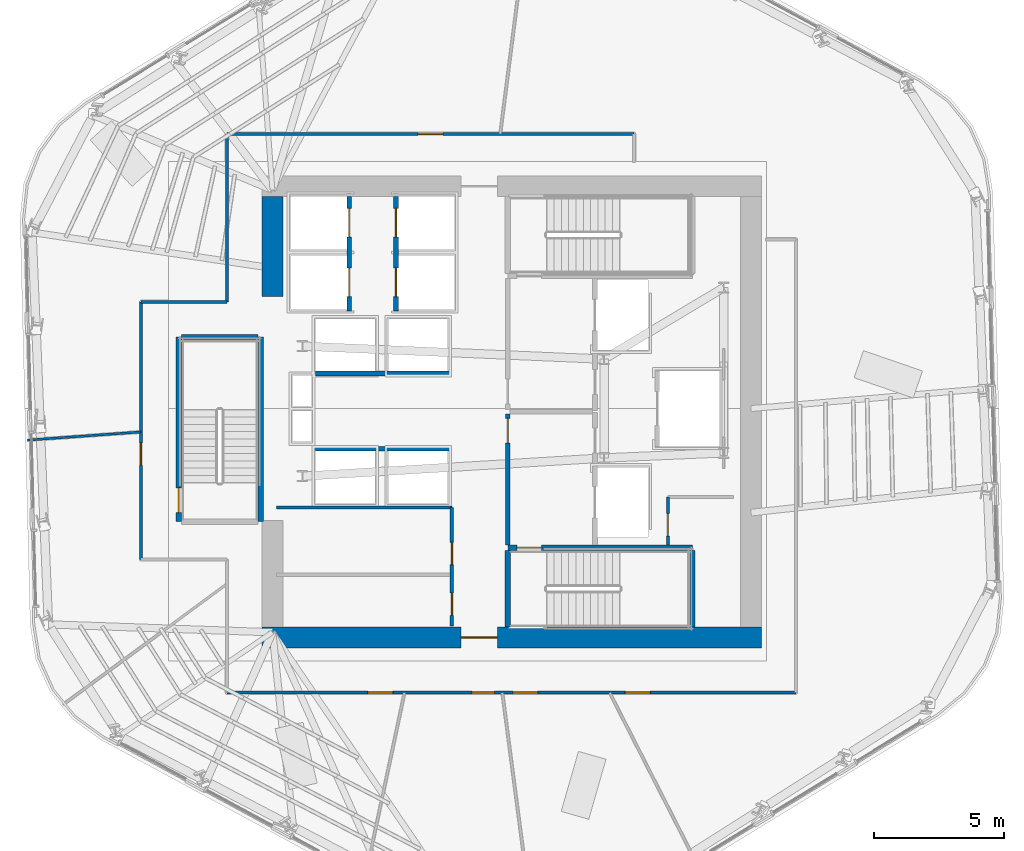
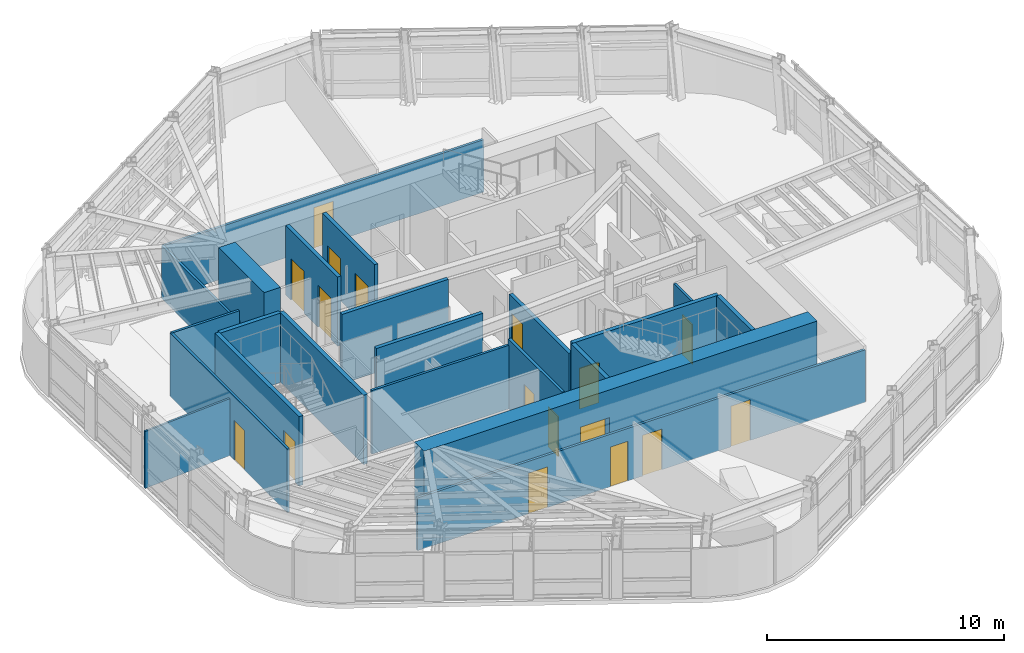
# One storey, part 8 of 15: 22 walls, 17 doors, 17 openings.
"""IFC4 building model written with IfcOpenShell, lengths in metres."""

from ifc_helpers import new_model, si_unit, direction, frame, frame_2d, origin, place, context, subcontext, project, spatial, rectangle, extrude, material, layer, layer_set, type_object, element, fill, save


model = new_model("IFC4")

# Units and contexts
model_context = context("Model", 3, precision=1e-05, world=origin(), true_north=direction((0.0, 1.0)))
body_context = subcontext(model_context, "Body", "Model", "MODEL_VIEW")
ifc_project = project(units=[si_unit("LENGTHUNIT", "METRE"), si_unit("AREAUNIT", "SQUARE_METRE"), si_unit("VOLUMEUNIT", "CUBIC_METRE"), si_unit("PLANEANGLEUNIT", "RADIAN"), si_unit("MASSUNIT", "GRAM", prefix="KILO")], contexts=[model_context])

# Site, building, storey
site_placement = place(None, origin())
site = spatial("IfcSite", under=ifc_project, at=site_placement, CompositionType="ELEMENT")
building_placement = place(site_placement, origin())
building = spatial("IfcBuilding", under=site, at=building_placement, Name="Valkerne Bourse Tower", CompositionType="ELEMENT")
storey_placement = place(building_placement, frame((0.0, 0.0, 159.0)))
storey = spatial("IfcBuildingStorey", under=building, at=storey_placement, Name="L40", CompositionType="ELEMENT", Elevation=159.0)

# Wall, opening, door
ifc_material_1 = material(Name="Concrete C55/67", Category="concrete")
ifc_layer_1 = layer(ifc_material_1, 0.800048828125)
ifc_layer_set_1 = layer_set([ifc_layer_1], Name="Concrete C55/67")
wall_type_1 = type_object("IfcWallType", Name="W-CORE-800", PredefinedType="SHEAR", material=ifc_layer_set_1)
wall_1_placement = place(storey_placement, frame((37.199951171875, 18.199951171875, 0.0), z_axis=(0.0, 0.0, 1.0), x_axis=(1.0, 0.0, 0.0)))
wall_1 = element("IfcWall", 1, at=wall_1_placement, inside=storey, type_object=wall_type_1, Name="L40 Core Shear Wall SOUTH", PredefinedType="SHEAR", context=body_context, shape_type="SweptSolid", body=[
    extrude(rectangle(XDim=19.199951171875, YDim=0.800048828125, at=frame_2d((9.60009765625, 0.0))), origin(), (0.0, 0.0, 1.0), 3.580078125),
])
opening_1_placement = place(wall_1_placement, frame((7.64990234375, 0.0, 0.0)))
opening_1 = element("IfcOpeningElement", 2, at=opening_1_placement, cuts=wall_1, Name="Opening D-PL-1400", PredefinedType="OPENING", context=body_context, shape_type="SweptSolid", body=[
    extrude(rectangle(XDim=1.39990234375, YDim=2.14990234375, at=frame_2d((0.699951171875, 1.074951171875))), frame((0.0, 0.409912109375, 0.0), z_axis=(0.0, -1.0, 0.0), x_axis=(1.0, 0.0, 0.0)), (0.0, 0.0, 1.0), 0.820068359375),
])
ifc_material_2 = material(Name="Galvanised Painted Steel", Category="steel")
door_type_1 = type_object("IfcDoorType", Name="DR-PLT-1400", OperationType="DOUBLE_DOOR_SINGLE_SWING", PredefinedType="DOOR", material=ifc_material_2)
door_1_placement = place(opening_1_placement, origin())
door_1 = element("IfcDoor", 3, at=door_1_placement, inside=storey, type_object=door_type_1, Name="L40 South Passenger Lift Hall Fire Door", OperationType="DOUBLE_DOOR_SINGLE_SWING", OverallHeight=2.14990234375, OverallWidth=1.39990234375, PredefinedType="DOOR", context=body_context, shape_type="SweptSolid", body=[
    extrude(rectangle(XDim=1.39990234375, YDim=2.14990234375, at=frame_2d((0.699951171875, 1.074951171875))), frame((0.0, 0.02490234375, 0.0), z_axis=(0.0, -1.0, 0.0), x_axis=(1.0, 0.0, 0.0)), (0.0, 0.0, 1.0), 0.050048828125),
])
fill(opening_1, door_1)

# Walls
wall_2_placement = place(storey_placement, frame((37.60009765625, 31.300048828125, 0.0), z_axis=(0.0, 0.0, 1.0), x_axis=(0.0, 1.0, 0.0)))
element("IfcWall", 4, at=wall_2_placement, inside=storey, type_object=wall_type_1, Name="L40 Core Shear Wall WEST-N", PredefinedType="SHEAR", context=body_context, shape_type="SweptSolid", body=[
    extrude(rectangle(XDim=3.849853515625, YDim=0.800048828125, at=frame_2d((1.9248046875, 0.0))), origin(), (0.0, 0.0, 1.0), 3.580078125),
])
ifc_material_3 = material(Name="Gypsum Board Steel-Stud Partition", Category="steel")
ifc_layer_2 = layer(ifc_material_3, 0.117919921875)
ifc_layer_set_2 = layer_set([ifc_layer_2], Name="Gypsum Board Steel-Stud Partition")
wall_type_2 = type_object("IfcWallType", Name="W-CORR-140", PredefinedType="PARTITIONING", material=ifc_layer_set_2)
wall_3_placement = place(storey_placement, frame((37.75, 23.199951171875, 0.0), z_axis=(0.0, 0.0, 1.0), x_axis=(1.0, 0.0, 0.0)))
element("IfcWall", 5, at=wall_3_placement, inside=storey, type_object=wall_type_2, Name="L40 LV7 Low-Bank North Wall", PredefinedType="PARTITIONING", context=body_context, shape_type="SweptSolid", body=[
    extrude(rectangle(XDim=6.75, YDim=0.117919921875, at=frame_2d((3.375, 0.0))), origin(), (0.0, 0.0, 1.0), 3.280029296875),
])

# Wall, opening, door
wall_4_placement = place(storey_placement, frame((52.800048828125, 21.75, 0.0), z_axis=(0.0, 0.0, 1.0), x_axis=(0.0, 1.0, 0.0)))
wall_4 = element("IfcWall", 6, at=wall_4_placement, inside=storey, type_object=wall_type_2, Name="L40 Core SE South-Bay West Wall", PredefinedType="PARTITIONING", context=body_context, shape_type="SweptSolid", body=[
    extrude(rectangle(XDim=1.85009765625, YDim=0.117919921875, at=frame_2d((0.925048828125, 0.0))), origin(), (0.0, 0.0, 1.0), 3.280029296875),
])
opening_2_placement = place(wall_4_placement, frame((0.35009765625, 0.0, 0.0)))
opening_2 = element("IfcOpeningElement", 7, at=opening_2_placement, cuts=wall_4, Name="Opening D-WC-900", PredefinedType="OPENING", context=body_context, shape_type="SweptSolid", body=[
    extrude(rectangle(XDim=0.860107421875, YDim=2.050048828125, at=frame_2d((0.43017578125, 1.02490234375))), frame((0.0, 0.06884765625, 0.0), z_axis=(0.0, -1.0, 0.0), x_axis=(1.0, 0.0, 0.0)), (0.0, 0.0, 1.0), 0.137939453125),
])
ifc_material_4 = material(Name="Architectural White Oak Timber", Category="wood")
door_type_2 = type_object("IfcDoorType", Name="DR-WC-900", OperationType="NOTDEFINED", PredefinedType="DOOR", material=ifc_material_4)
door_2_placement = place(opening_2_placement, origin())
door_2 = element("IfcDoor", 8, at=door_2_placement, inside=storey, type_object=door_type_2, Name="L40 Janitor Store Door", OperationType="SINGLE_SWING_RIGHT", OverallHeight=2.050048828125, OverallWidth=0.860107421875, PredefinedType="DOOR", context=body_context, shape_type="SweptSolid", body=[
    extrude(rectangle(XDim=0.860107421875, YDim=2.050048828125, at=frame_2d((0.43017578125, 1.02490234375))), frame((0.0, 0.02490234375, 0.0), z_axis=(0.0, -1.0, 0.0), x_axis=(1.0, 0.0, 0.0)), (0.0, 0.0, 1.0), 0.050048828125),
])
fill(opening_2, door_2)

wall_5_placement = place(storey_placement, frame((32.550048828125, 21.199951171875, 0.0), z_axis=(0.0, 0.0, 1.0), x_axis=(0.0, 1.0, 0.0)))
wall_5 = element("IfcWall", 9, at=wall_5_placement, inside=storey, type_object=wall_type_2, Name="L40 Corridor Enclosure Wall", PredefinedType="PARTITIONING", context=body_context, shape_type="SweptSolid", body=[
    extrude(rectangle(XDim=9.900146484375, YDim=0.117919921875, at=frame_2d((4.9501953125, 0.0))), origin(), (0.0, 0.0, 1.0), 3.280029296875),
])
opening_3_placement = place(wall_5_placement, frame((3.6201171875, 0.0, 0.0)))
opening_3 = element("IfcOpeningElement", 10, at=opening_3_placement, cuts=wall_5, Name="Opening D-WC-900", PredefinedType="OPENING", context=body_context, shape_type="SweptSolid", body=[
    extrude(rectangle(XDim=0.860107421875, YDim=2.050048828125, at=frame_2d((0.43017578125, 1.02490234375))), frame((0.0, 0.06884765625, 0.0), z_axis=(0.0, -1.0, 0.0), x_axis=(1.0, 0.0, 0.0)), (0.0, 0.0, 1.0), 0.137939453125),
])
door_3_placement = place(opening_3_placement, origin())
door_3 = element("IfcDoor", 11, at=door_3_placement, inside=storey, type_object=door_type_2, Name="L40 L40 Men Bathroom WC 1 Door", OperationType="SINGLE_SWING_RIGHT", OverallHeight=2.050048828125, OverallWidth=0.860107421875, PredefinedType="DOOR", context=body_context, shape_type="SweptSolid", body=[
    extrude(rectangle(XDim=0.860107421875, YDim=2.050048828125, at=frame_2d((0.43017578125, 1.02490234375))), frame((0.0, 0.02490234375, 0.0), z_axis=(0.0, -1.0, 0.0), x_axis=(1.0, 0.0, 0.0)), (0.0, 0.0, 1.0), 0.050048828125),
])
fill(opening_3, door_3)

# Walls
wall_6_placement = place(storey_placement, frame((32.550048828125, 31.10009765625, 0.0), z_axis=(0.0, 0.0, 1.0), x_axis=(1.0, 0.0, 0.0)))
element("IfcWall", 12, at=wall_6_placement, inside=storey, type_object=wall_type_2, Name="L40 Corridor Enclosure Wall", PredefinedType="PARTITIONING", context=body_context, shape_type="SweptSolid", body=[
    extrude(rectangle(XDim=3.300048828125, YDim=0.117919921875, at=frame_2d((1.64990234375, 0.0))), origin(), (0.0, 0.0, 1.0), 3.280029296875),
])
wall_7_placement = place(storey_placement, frame((35.85009765625, 31.10009765625, 0.0), z_axis=(0.0, 0.0, 1.0), x_axis=(0.0, 1.0, 0.0)))
element("IfcWall", 13, at=wall_7_placement, inside=storey, type_object=wall_type_2, Name="L40 Corridor Enclosure Wall", PredefinedType="PARTITIONING", context=body_context, shape_type="SweptSolid", body=[
    extrude(rectangle(XDim=6.4599609375, YDim=0.117919921875, at=frame_2d((3.22998046875, 0.0))), origin(), (0.0, 0.0, 1.0), 2.711669921875),
])

# Wall, opening, door
wall_8_placement = place(storey_placement, frame((35.85009765625, 37.56005859375, 0.0), z_axis=(0.0, 0.0, 1.0), x_axis=(1.0, 0.0, 0.0)))
wall_8 = element("IfcWall", 14, at=wall_8_placement, inside=storey, type_object=wall_type_2, Name="L40 Corridor Enclosure Wall", PredefinedType="PARTITIONING", context=body_context, shape_type="SweptSolid", body=[
    extrude(rectangle(XDim=15.64990234375, YDim=0.117919921875, at=frame_2d((7.824951171875, 0.0))), origin(), (0.0, 0.0, 1.0), 2.711669921875),
])
opening_4_placement = place(wall_8_placement, frame((7.35009765625, 0.0, 0.0)))
opening_4 = element("IfcOpeningElement", 15, at=opening_4_placement, cuts=wall_8, Name="Opening D-OF-950", PredefinedType="OPENING", context=body_context, shape_type="SweptSolid", body=[
    extrude(rectangle(XDim=0.949951171875, YDim=2.10009765625, at=frame_2d((0.47509765625, 1.050048828125))), frame((0.0, 0.06884765625, 0.0), z_axis=(0.0, -1.0, 0.0), x_axis=(1.0, 0.0, 0.0)), (0.0, 0.0, 1.0), 0.137939453125),
])
door_type_3 = type_object("IfcDoorType", Name="DR-OFF-950", OperationType="NOTDEFINED", PredefinedType="DOOR", material=ifc_material_4)
door_4_placement = place(opening_4_placement, origin())
door_4 = element("IfcDoor", 16, at=door_4_placement, inside=storey, type_object=door_type_3, Name="L40 L40 Exchange Security Control Room 5 Door", OperationType="SINGLE_SWING_LEFT", OverallHeight=2.10009765625, OverallWidth=0.949951171875, PredefinedType="DOOR", context=body_context, shape_type="SweptSolid", body=[
    extrude(rectangle(XDim=0.949951171875, YDim=2.10009765625, at=frame_2d((0.47509765625, 1.050048828125))), frame((0.0, 0.02490234375, 0.0), z_axis=(0.0, -1.0, 0.0), x_axis=(1.0, 0.0, 0.0)), (0.0, 0.0, 1.0), 0.050048828125),
])
fill(opening_4, door_4)

# Wall, openings, doors
wall_9_placement = place(storey_placement, frame((57.719970703125, 16.080078125, 0.0), z_axis=(0.0, 0.0, 1.0), x_axis=(-1.0, 0.0, 0.0)))
wall_9 = element("IfcWall", 17, at=wall_9_placement, inside=storey, type_object=wall_type_2, Name="L40 Corridor Enclosure Wall", PredefinedType="PARTITIONING", context=body_context, shape_type="SweptSolid", body=[
    extrude(rectangle(XDim=21.869873046875, YDim=0.117919921875, at=frame_2d((10.93505859375, 0.0))), origin(), (0.0, 0.0, 1.0), 2.711669921875),
])
opening_5_placement = place(wall_9_placement, frame((11.5849609375, 0.0, 0.0)))
opening_5 = element("IfcOpeningElement", 18, at=opening_5_placement, cuts=wall_9, Name="Opening D-WC-900", PredefinedType="OPENING", context=body_context, shape_type="SweptSolid", body=[
    extrude(rectangle(XDim=0.860107421875, YDim=2.050048828125, at=frame_2d((0.43017578125, 1.02490234375))), frame((0.0, 0.06884765625, 0.0), z_axis=(0.0, -1.0, 0.0), x_axis=(1.0, 0.0, 0.0)), (0.0, 0.0, 1.0), 0.137939453125),
])
opening_6_placement = place(wall_9_placement, frame((9.919921875, 0.0, 0.0)))
opening_6 = element("IfcOpeningElement", 19, at=opening_6_placement, cuts=wall_9, Name="Opening D-OF-950", PredefinedType="OPENING", context=body_context, shape_type="SweptSolid", body=[
    extrude(rectangle(XDim=0.949951171875, YDim=2.10009765625, at=frame_2d((0.47509765625, 1.050048828125))), frame((0.0, 0.06884765625, 0.0), z_axis=(0.0, -1.0, 0.0), x_axis=(1.0, 0.0, 0.0)), (0.0, 0.0, 1.0), 0.137939453125),
])
opening_7_placement = place(wall_9_placement, frame((15.5, 0.0, 0.0)))
opening_7 = element("IfcOpeningElement", 20, at=opening_7_placement, cuts=wall_9, Name="Opening D-OF-950", PredefinedType="OPENING", context=body_context, shape_type="SweptSolid", body=[
    extrude(rectangle(XDim=0.949951171875, YDim=2.10009765625, at=frame_2d((0.47509765625, 1.050048828125))), frame((0.0, 0.06884765625, 0.0), z_axis=(0.0, -1.0, 0.0), x_axis=(1.0, 0.0, 0.0)), (0.0, 0.0, 1.0), 0.137939453125),
])
opening_8_placement = place(wall_9_placement, frame((5.60009765625, 0.0, 0.0)))
opening_8 = element("IfcOpeningElement", 21, at=opening_8_placement, cuts=wall_9, Name="Opening D-OF-950", PredefinedType="OPENING", context=body_context, shape_type="SweptSolid", body=[
    extrude(rectangle(XDim=0.949951171875, YDim=2.10009765625, at=frame_2d((0.47509765625, 1.050048828125))), frame((0.0, 0.06884765625, 0.0), z_axis=(0.0, -1.0, 0.0), x_axis=(1.0, 0.0, 0.0)), (0.0, 0.0, 1.0), 0.137939453125),
])
door_5_placement = place(opening_6_placement, origin())
door_5 = element("IfcDoor", 22, at=door_5_placement, inside=storey, type_object=door_type_3, Name="L40 L40 VIP Client Concierge Reception 3 Door", OperationType="SINGLE_SWING_RIGHT", OverallHeight=2.10009765625, OverallWidth=0.949951171875, PredefinedType="DOOR", context=body_context, shape_type="SweptSolid", body=[
    extrude(rectangle(XDim=0.949951171875, YDim=2.10009765625, at=frame_2d((0.47509765625, 1.050048828125))), frame((0.0, 0.02490234375, 0.0), z_axis=(0.0, -1.0, 0.0), x_axis=(1.0, 0.0, 0.0)), (0.0, 0.0, 1.0), 0.050048828125),
])
fill(opening_6, door_5)
door_6_placement = place(opening_7_placement, origin())
door_6 = element("IfcDoor", 23, at=door_6_placement, inside=storey, type_object=door_type_3, Name="L40 L40 VIP Client Concierge Reception 4 Door", OperationType="SINGLE_SWING_LEFT", OverallHeight=2.10009765625, OverallWidth=0.949951171875, PredefinedType="DOOR", context=body_context, shape_type="SweptSolid", body=[
    extrude(rectangle(XDim=0.949951171875, YDim=2.10009765625, at=frame_2d((0.47509765625, 1.050048828125))), frame((0.0, 0.02490234375, 0.0), z_axis=(0.0, -1.0, 0.0), x_axis=(1.0, 0.0, 0.0)), (0.0, 0.0, 1.0), 0.050048828125),
])
fill(opening_7, door_6)
door_7_placement = place(opening_8_placement, origin())
door_7 = element("IfcDoor", 24, at=door_7_placement, inside=storey, type_object=door_type_3, Name="L40 L40 Member Collaboration Club Salon 6 Door", OperationType="SINGLE_SWING_LEFT", OverallHeight=2.10009765625, OverallWidth=0.949951171875, PredefinedType="DOOR", context=body_context, shape_type="SweptSolid", body=[
    extrude(rectangle(XDim=0.949951171875, YDim=2.10009765625, at=frame_2d((0.47509765625, 1.050048828125))), frame((0.0, 0.02490234375, 0.0), z_axis=(0.0, -1.0, 0.0), x_axis=(1.0, 0.0, 0.0)), (0.0, 0.0, 1.0), 0.050048828125),
])
fill(opening_8, door_7)
door_8_placement = place(opening_5_placement, origin())
door_8 = element("IfcDoor", 25, at=door_8_placement, inside=storey, type_object=door_type_2, Name="L40 L40 Women Restroom & Shower WC 2 Door", OperationType="SINGLE_SWING_RIGHT", OverallHeight=2.050048828125, OverallWidth=0.860107421875, PredefinedType="DOOR", context=body_context, shape_type="SweptSolid", body=[
    extrude(rectangle(XDim=0.860107421875, YDim=2.050048828125, at=frame_2d((0.43017578125, 1.02490234375))), frame((0.0, 0.02490234375, 0.0), z_axis=(0.0, -1.0, 0.0), x_axis=(1.0, 0.0, 0.0)), (0.0, 0.0, 1.0), 0.050048828125),
])
fill(opening_5, door_8)

# Wall, opening, door
ifc_material_5 = material(Name="Gypsum Fire-Rated Shaftwall", Category="gypsum")
ifc_layer_3 = layer(ifc_material_5, 0.179931640625)
ifc_layer_set_3 = layer_set([ifc_layer_3], Name="Gypsum Fire-Rated Shaftwall")
wall_type_3 = type_object("IfcWallType", Name="W-FSAE-180", PredefinedType="PARTITIONING", material=ifc_layer_set_3)
wall_10_placement = place(storey_placement, frame((46.64990234375, 21.75, 0.0), z_axis=(0.0, 0.0, 1.0), x_axis=(0.0, 1.0, 0.0)))
wall_10 = element("IfcWall", 26, at=wall_10_placement, inside=storey, type_object=wall_type_3, Name="L40 FSAE-1 Lobby West Fire Wall", PredefinedType="PARTITIONING", context=body_context, shape_type="SweptSolid", body=[
    extrude(rectangle(XDim=5.050048828125, YDim=0.179931640625, at=frame_2d((2.52490234375, 0.0))), origin(), (0.0, 0.0, 1.0), 2.9580078125),
])
opening_9_placement = place(wall_10_placement, frame((3.919921875, 0.0, 0.0)))
opening_9 = element("IfcOpeningElement", 27, at=opening_9_placement, cuts=wall_10, Name="Opening D-FS-950", PredefinedType="OPENING", context=body_context, shape_type="SweptSolid", body=[
    extrude(rectangle(XDim=0.949951171875, YDim=2.10009765625, at=frame_2d((0.47509765625, 1.050048828125))), frame((0.0, 0.099853515625, 0.0), z_axis=(0.0, -1.0, 0.0), x_axis=(1.0, 0.0, 0.0)), (0.0, 0.0, 1.0), 0.199951171875),
])
door_type_4 = type_object("IfcDoorType", Name="DR-FSAE-950", OperationType="NOTDEFINED", PredefinedType="DOOR", material=ifc_material_2)
door_9_placement = place(opening_9_placement, origin())
door_9 = element("IfcDoor", 28, at=door_9_placement, inside=storey, type_object=door_type_4, Name="L40 FSAE-1 Hall Link Fire Door", OperationType="SINGLE_SWING_LEFT", OverallHeight=2.10009765625, OverallWidth=0.949951171875, PredefinedType="DOOR", context=body_context, shape_type="SweptSolid", body=[
    extrude(rectangle(XDim=0.949951171875, YDim=2.10009765625, at=frame_2d((0.47509765625, 1.050048828125))), frame((0.0, 0.02490234375, 0.0), z_axis=(0.0, -1.0, 0.0), x_axis=(1.0, 0.0, 0.0)), (0.0, 0.0, 1.0), 0.050048828125),
])
fill(opening_9, door_9)

# Wall, openings, doors
ifc_material_6 = material(Name="CMU Blockwork Masonry 200mm", Category="masonry")
ifc_layer_4 = layer(ifc_material_6, 0.179931640625)
ifc_layer_set_4 = layer_set([ifc_layer_4], Name="CMU Blockwork Masonry 200mm")
wall_type_4 = type_object("IfcWallType", Name="W-LFT-180", PredefinedType="SOLIDWALL", material=ifc_layer_set_4)
wall_11_placement = place(storey_placement, frame((40.550048828125, 30.75, 0.0), z_axis=(0.0, 0.0, 1.0), x_axis=(0.0, 1.0, 0.0)))
wall_11 = element("IfcWall", 29, at=wall_11_placement, inside=storey, type_object=wall_type_4, Name="L40 Mid-Zone West Cars Front Wall", PredefinedType="SOLIDWALL", context=body_context, shape_type="SweptSolid", body=[
    extrude(rectangle(XDim=4.39990234375, YDim=0.179931640625, at=frame_2d((2.199951171875, 0.0))), origin(), (0.0, 0.0, 1.0), 3.580078125),
])
opening_10_placement = place(wall_11_placement, frame((0.550048828125, 0.0, 0.0)))
opening_10 = element("IfcOpeningElement", 30, at=opening_10_placement, cuts=wall_11, Name="Opening LD-1100", PredefinedType="OPENING", context=body_context, shape_type="SweptSolid", body=[
    extrude(rectangle(XDim=1.10009765625, YDim=2.14990234375, at=frame_2d((0.550048828125, 1.074951171875))), frame((0.0, 0.099853515625, 0.0), z_axis=(0.0, -1.0, 0.0), x_axis=(1.0, 0.0, 0.0)), (0.0, 0.0, 1.0), 0.199951171875),
])
opening_11_placement = place(wall_11_placement, frame((2.85009765625, 0.0, 0.0)))
opening_11 = element("IfcOpeningElement", 31, at=opening_11_placement, cuts=wall_11, Name="Opening LD-1100", PredefinedType="OPENING", context=body_context, shape_type="SweptSolid", body=[
    extrude(rectangle(XDim=1.10009765625, YDim=2.14990234375, at=frame_2d((0.550048828125, 1.074951171875))), frame((0.0, 0.099853515625, 0.0), z_axis=(0.0, -1.0, 0.0), x_axis=(1.0, 0.0, 0.0)), (0.0, 0.0, 1.0), 0.199951171875),
])
ifc_material_7 = material(Name="Stainless Steel AISI 316", Category="steel")
door_type_5 = type_object("IfcDoorType", Name="DR-LIFT-1100", OperationType="DOUBLE_DOOR_SLIDING", PredefinedType="DOOR", material=ifc_material_7)
door_10_placement = place(opening_10_placement, origin())
door_10 = element("IfcDoor", 32, at=door_10_placement, inside=storey, type_object=door_type_5, Name="L40 Passenger Lift PL-M1 Sliding Landing Door", OperationType="DOUBLE_DOOR_SLIDING", OverallHeight=2.14990234375, OverallWidth=1.10009765625, PredefinedType="DOOR", context=body_context, shape_type="SweptSolid", body=[
    extrude(rectangle(XDim=1.10009765625, YDim=2.14990234375, at=frame_2d((0.550048828125, 1.074951171875))), frame((0.0, 0.02490234375, 0.0), z_axis=(0.0, -1.0, 0.0), x_axis=(1.0, 0.0, 0.0)), (0.0, 0.0, 1.0), 0.050048828125),
])
fill(opening_10, door_10)
door_11_placement = place(opening_11_placement, origin())
door_11 = element("IfcDoor", 33, at=door_11_placement, inside=storey, type_object=door_type_5, Name="L40 Passenger Lift PL-M2 Sliding Landing Door", OperationType="DOUBLE_DOOR_SLIDING", OverallHeight=2.14990234375, OverallWidth=1.10009765625, PredefinedType="DOOR", context=body_context, shape_type="SweptSolid", body=[
    extrude(rectangle(XDim=1.10009765625, YDim=2.14990234375, at=frame_2d((0.550048828125, 1.074951171875))), frame((0.0, 0.02490234375, 0.0), z_axis=(0.0, -1.0, 0.0), x_axis=(1.0, 0.0, 0.0)), (0.0, 0.0, 1.0), 0.050048828125),
])
fill(opening_11, door_11)

wall_12_placement = place(storey_placement, frame((42.35009765625, 30.75, 0.0), z_axis=(0.0, 0.0, 1.0), x_axis=(0.0, 1.0, 0.0)))
wall_12 = element("IfcWall", 34, at=wall_12_placement, inside=storey, type_object=wall_type_4, Name="L40 Mid-Zone East Cars Front Wall", PredefinedType="SOLIDWALL", context=body_context, shape_type="SweptSolid", body=[
    extrude(rectangle(XDim=4.39990234375, YDim=0.179931640625, at=frame_2d((2.199951171875, 0.0))), origin(), (0.0, 0.0, 1.0), 3.580078125),
])
opening_12_placement = place(wall_12_placement, frame((0.550048828125, 0.0, 0.0)))
opening_12 = element("IfcOpeningElement", 35, at=opening_12_placement, cuts=wall_12, Name="Opening LD-1100", PredefinedType="OPENING", context=body_context, shape_type="SweptSolid", body=[
    extrude(rectangle(XDim=1.10009765625, YDim=2.14990234375, at=frame_2d((0.550048828125, 1.074951171875))), frame((0.0, 0.099853515625, 0.0), z_axis=(0.0, -1.0, 0.0), x_axis=(1.0, 0.0, 0.0)), (0.0, 0.0, 1.0), 0.199951171875),
])
opening_13_placement = place(wall_12_placement, frame((2.85009765625, 0.0, 0.0)))
opening_13 = element("IfcOpeningElement", 36, at=opening_13_placement, cuts=wall_12, Name="Opening LD-1100", PredefinedType="OPENING", context=body_context, shape_type="SweptSolid", body=[
    extrude(rectangle(XDim=1.10009765625, YDim=2.14990234375, at=frame_2d((0.550048828125, 1.074951171875))), frame((0.0, 0.099853515625, 0.0), z_axis=(0.0, -1.0, 0.0), x_axis=(1.0, 0.0, 0.0)), (0.0, 0.0, 1.0), 0.199951171875),
])
door_12_placement = place(opening_12_placement, origin())
door_12 = element("IfcDoor", 37, at=door_12_placement, inside=storey, type_object=door_type_5, Name="L40 Passenger Lift PL-M3 Sliding Landing Door", OperationType="DOUBLE_DOOR_SLIDING", OverallHeight=2.14990234375, OverallWidth=1.10009765625, PredefinedType="DOOR", context=body_context, shape_type="SweptSolid", body=[
    extrude(rectangle(XDim=1.10009765625, YDim=2.14990234375, at=frame_2d((0.550048828125, 1.074951171875))), frame((0.0, 0.02490234375, 0.0), z_axis=(0.0, -1.0, 0.0), x_axis=(1.0, 0.0, 0.0)), (0.0, 0.0, 1.0), 0.050048828125),
])
fill(opening_12, door_12)
door_13_placement = place(opening_13_placement, origin())
door_13 = element("IfcDoor", 38, at=door_13_placement, inside=storey, type_object=door_type_5, Name="L40 Passenger Lift PL-M4 Sliding Landing Door", OperationType="DOUBLE_DOOR_SLIDING", OverallHeight=2.14990234375, OverallWidth=1.10009765625, PredefinedType="DOOR", context=body_context, shape_type="SweptSolid", body=[
    extrude(rectangle(XDim=1.10009765625, YDim=2.14990234375, at=frame_2d((0.550048828125, 1.074951171875))), frame((0.0, 0.02490234375, 0.0), z_axis=(0.0, -1.0, 0.0), x_axis=(1.0, 0.0, 0.0)), (0.0, 0.0, 1.0), 0.050048828125),
])
fill(opening_13, door_13)

# Walls
for number, where, z_axis, x_axis, name in (
    (39, (39.25, 25.449951171875, 0.0), (0.0, 0.0, 1.0), (1.0, 0.0, 0.0), "L40 High-Zone South Cars Front Wall"),
    (40, (39.25, 28.35009765625, 0.0), (0.0, 0.0, 1.0), (1.0, 0.0, 0.0), "L40 High-Zone North Cars Front Wall"),
):
    element("IfcWall", number, at=place(storey_placement, frame(where, z_axis=z_axis, x_axis=x_axis)), inside=storey, type_object=wall_type_4, Name=name, PredefinedType="SOLIDWALL", context=body_context, shape_type="SweptSolid", body=[
        extrude(rectangle(XDim=5.199951171875, YDim=0.179931640625, at=frame_2d((2.60009765625, 0.0))), origin(), (0.0, 0.0, 1.0), 3.580078125),
    ])
ifc_layer_5 = layer(ifc_material_3, 0.092041015625)
ifc_layer_set_5 = layer_set([ifc_layer_5], Name="Gypsum Board Steel-Stud Partition")
wall_type_5 = type_object("IfcWallType", Name="W-PART-115", PredefinedType="PARTITIONING", material=ifc_layer_set_5)
wall_13_placement = place(storey_placement, frame((32.544921875, 26.102294921875, 0.0), z_axis=(0.0, 0.0, 1.0), x_axis=(-0.997409207291, -0.071936591603, 0.0)))
element("IfcWall", 41, at=wall_13_placement, inside=storey, type_object=wall_type_5, Name="L40 Suite Partition P05", PredefinedType="PARTITIONING", context=body_context, shape_type="SweptSolid", body=[
    extrude(rectangle(XDim=4.3779296875, YDim=0.092041015625, at=frame_2d((2.18896484375, 0.0))), origin(), (0.0, 0.0, 1.0), 2.942626953125),
])

# Wall, opening, door
ifc_material_8 = material(Name="Concrete C40/50", Category="concrete")
ifc_layer_6 = layer(ifc_material_8, 0.199951171875)
ifc_layer_set_6 = layer_set([ifc_layer_6], Name="Concrete C40/50")
wall_type_6 = type_object("IfcWallType", Name="W-SHF-200", PredefinedType="SHEAR", material=ifc_layer_set_6)
wall_14_placement = place(storey_placement, frame((46.64990234375, 21.64990234375, 0.0), z_axis=(0.0, 0.0, 1.0), x_axis=(1.0, 0.0, 0.0)))
wall_14 = element("IfcWall", 42, at=wall_14_placement, inside=storey, type_object=wall_type_6, Name="L40 Exit Stair ST-1 Structural Shaft Wall North", PredefinedType="SHEAR", context=body_context, shape_type="SweptSolid", body=[
    extrude(rectangle(XDim=7.10009765625, YDim=0.199951171875, at=frame_2d((3.550048828125, 0.0))), origin(), (0.0, 0.0, 1.0), 3.580078125),
])
opening_14_placement = place(wall_14_placement, frame((0.35009765625, 0.0, 0.0)))
opening_14 = element("IfcOpeningElement", 43, at=opening_14_placement, cuts=wall_14, Name="Opening D-ST-950", PredefinedType="OPENING", context=body_context, shape_type="SweptSolid", body=[
    extrude(rectangle(XDim=0.949951171875, YDim=2.10009765625, at=frame_2d((0.47509765625, 1.050048828125))), frame((0.0, 0.10986328125, 0.0), z_axis=(0.0, -1.0, 0.0), x_axis=(1.0, 0.0, 0.0)), (0.0, 0.0, 1.0), 0.219970703125),
])
door_type_6 = type_object("IfcDoorType", Name="DR-STAIR-950", OperationType="NOTDEFINED", PredefinedType="DOOR", material=ifc_material_2)
door_14_placement = place(opening_14_placement, origin())
door_14 = element("IfcDoor", 44, at=door_14_placement, inside=storey, type_object=door_type_6, Name="L40 Exit Stair ST-1 Door", OperationType="SINGLE_SWING_LEFT", OverallHeight=2.10009765625, OverallWidth=0.949951171875, PredefinedType="DOOR", context=body_context, shape_type="SweptSolid", body=[
    extrude(rectangle(XDim=0.949951171875, YDim=2.10009765625, at=frame_2d((0.47509765625, 1.050048828125))), frame((0.0, 0.02490234375, 0.0), z_axis=(0.0, -1.0, 0.0), x_axis=(1.0, 0.0, 0.0)), (0.0, 0.0, 1.0), 0.050048828125),
])
fill(opening_14, door_14)

# Walls
for number, where, z_axis, x_axis, name in (
    (45, (46.64990234375, 18.60009765625, 0.0), (0.0, 0.0, 1.0), (0.0, 1.0, 0.0), "L40 Exit Stair ST-1 Structural Shaft Wall West"),
    (46, (53.75, 18.60009765625, 0.0), (0.0, 0.0, 1.0), (0.0, 1.0, 0.0), "L40 Exit Stair ST-1 Structural Shaft Wall East"),
):
    element("IfcWall", number, at=place(storey_placement, frame(where, z_axis=z_axis, x_axis=x_axis)), inside=storey, type_object=wall_type_6, Name=name, PredefinedType="SHEAR", context=body_context, shape_type="SweptSolid", body=[
        extrude(rectangle(XDim=2.949951171875, YDim=0.199951171875, at=frame_2d((1.47509765625, 0.0))), origin(), (0.0, 0.0, 1.0), 3.580078125),
    ])

# Wall, opening, door
wall_15_placement = place(storey_placement, frame((34.0, 22.64990234375, 0.0), z_axis=(0.0, 0.0, 1.0), x_axis=(0.0, 1.0, 0.0)))
wall_15 = element("IfcWall", 47, at=wall_15_placement, inside=storey, type_object=wall_type_6, Name="L40 Exit Stair ST-3 Structural Shaft Wall West", PredefinedType="SHEAR", context=body_context, shape_type="SweptSolid", body=[
    extrude(rectangle(XDim=7.10009765625, YDim=0.199951171875, at=frame_2d((3.550048828125, 0.0))), origin(), (0.0, 0.0, 1.0), 3.580078125),
])
opening_15_placement = place(wall_15_placement, frame((0.35009765625, 0.0, 0.0)))
opening_15 = element("IfcOpeningElement", 48, at=opening_15_placement, cuts=wall_15, Name="Opening D-ST-950", PredefinedType="OPENING", context=body_context, shape_type="SweptSolid", body=[
    extrude(rectangle(XDim=0.949951171875, YDim=2.10009765625, at=frame_2d((0.47509765625, 1.050048828125))), frame((0.0, 0.10986328125, 0.0), z_axis=(0.0, -1.0, 0.0), x_axis=(1.0, 0.0, 0.0)), (0.0, 0.0, 1.0), 0.219970703125),
])
door_15_placement = place(opening_15_placement, origin())
door_15 = element("IfcDoor", 49, at=door_15_placement, inside=storey, type_object=door_type_6, Name="L40 Exit Stair ST-3 Door", OperationType="SINGLE_SWING_LEFT", OverallHeight=2.10009765625, OverallWidth=0.949951171875, PredefinedType="DOOR", context=body_context, shape_type="SweptSolid", body=[
    extrude(rectangle(XDim=0.949951171875, YDim=2.10009765625, at=frame_2d((0.47509765625, 1.050048828125))), frame((0.0, 0.02490234375, 0.0), z_axis=(0.0, -1.0, 0.0), x_axis=(1.0, 0.0, 0.0)), (0.0, 0.0, 1.0), 0.050048828125),
])
fill(opening_15, door_15)

# Walls
wall_16_placement = place(storey_placement, frame((34.10009765625, 29.75, 0.0), z_axis=(0.0, 0.0, 1.0), x_axis=(1.0, 0.0, 0.0)))
element("IfcWall", 50, at=wall_16_placement, inside=storey, type_object=wall_type_6, Name="L40 Exit Stair ST-3 Structural Shaft Wall North", PredefinedType="SHEAR", context=body_context, shape_type="SweptSolid", body=[
    extrude(rectangle(XDim=2.949951171875, YDim=0.199951171875, at=frame_2d((1.47509765625, 0.0))), origin(), (0.0, 0.0, 1.0), 3.580078125),
])
wall_17_placement = place(storey_placement, frame((37.14990234375, 22.64990234375, 0.0), z_axis=(0.0, 0.0, 1.0), x_axis=(0.0, 1.0, 0.0)))
element("IfcWall", 51, at=wall_17_placement, inside=storey, type_object=wall_type_6, Name="L40 Exit Stair ST-3 Structural Shaft Wall East", PredefinedType="SHEAR", context=body_context, shape_type="SweptSolid", body=[
    extrude(rectangle(XDim=7.10009765625, YDim=0.199951171875, at=frame_2d((3.550048828125, 0.0))), origin(), (0.0, 0.0, 1.0), 3.580078125),
])

# Wall, openings, doors
ifc_material_9 = material(Name="Moisture-Resistant Gypsum Partition", Category="gypsum")
ifc_layer_7 = layer(ifc_material_9, 0.139892578125)
ifc_layer_set_7 = layer_set([ifc_layer_7], Name="Moisture-Resistant Gypsum Partition")
wall_type_7 = type_object("IfcWallType", Name="W-WET-140", PredefinedType="PARTITIONING", material=ifc_layer_set_7)
wall_18_placement = place(storey_placement, frame((44.5, 18.64990234375, 0.0), z_axis=(0.0, 0.0, 1.0), x_axis=(0.0, 1.0, 0.0)))
wall_18 = element("IfcWall", 52, at=wall_18_placement, inside=storey, type_object=wall_type_7, Name="L40 LV7 Low-Bank East Wall", PredefinedType="PARTITIONING", context=body_context, shape_type="SweptSolid", body=[
    extrude(rectangle(XDim=4.550048828125, YDim=0.139892578125, at=frame_2d((2.27490234375, 0.0))), origin(), (0.0, 0.0, 1.0), 3.580078125),
])
opening_16_placement = place(wall_18_placement, frame((0.39990234375, 0.0, 0.0)))
opening_16 = element("IfcOpeningElement", 53, at=opening_16_placement, cuts=wall_18, Name="Opening D-WC-900", PredefinedType="OPENING", context=body_context, shape_type="SweptSolid", body=[
    extrude(rectangle(XDim=0.860107421875, YDim=2.050048828125, at=frame_2d((0.43017578125, 1.02490234375))), frame((0.0, 0.079833984375, 0.0), z_axis=(0.0, -1.0, 0.0), x_axis=(1.0, 0.0, 0.0)), (0.0, 0.0, 1.0), 0.159912109375),
])
opening_17_placement = place(wall_18_placement, frame((2.35009765625, 0.0, 0.0)))
opening_17 = element("IfcOpeningElement", 54, at=opening_17_placement, cuts=wall_18, Name="Opening D-WC-900", PredefinedType="OPENING", context=body_context, shape_type="SweptSolid", body=[
    extrude(rectangle(XDim=0.860107421875, YDim=2.050048828125, at=frame_2d((0.43017578125, 1.02490234375))), frame((0.0, 0.079833984375, 0.0), z_axis=(0.0, -1.0, 0.0), x_axis=(1.0, 0.0, 0.0)), (0.0, 0.0, 1.0), 0.159912109375),
])
door_16_placement = place(opening_16_placement, origin())
door_16 = element("IfcDoor", 55, at=door_16_placement, inside=storey, type_object=door_type_2, Name="L40 Beverage Kitchen Door", OperationType="SINGLE_SWING_RIGHT", OverallHeight=2.050048828125, OverallWidth=0.860107421875, PredefinedType="DOOR", context=body_context, shape_type="SweptSolid", body=[
    extrude(rectangle(XDim=0.860107421875, YDim=2.050048828125, at=frame_2d((0.43017578125, 1.02490234375))), frame((0.0, 0.02490234375, 0.0), z_axis=(0.0, -1.0, 0.0), x_axis=(1.0, 0.0, 0.0)), (0.0, 0.0, 1.0), 0.050048828125),
])
fill(opening_16, door_16)
door_17_placement = place(opening_17_placement, origin())
door_17 = element("IfcDoor", 56, at=door_17_placement, inside=storey, type_object=door_type_2, Name="L40 Compliance Briefing Office Door", OperationType="SINGLE_SWING_RIGHT", OverallHeight=2.050048828125, OverallWidth=0.860107421875, PredefinedType="DOOR", context=body_context, shape_type="SweptSolid", body=[
    extrude(rectangle(XDim=0.860107421875, YDim=2.050048828125, at=frame_2d((0.43017578125, 1.02490234375))), frame((0.0, 0.02490234375, 0.0), z_axis=(0.0, -1.0, 0.0), x_axis=(1.0, 0.0, 0.0)), (0.0, 0.0, 1.0), 0.050048828125),
])
fill(opening_17, door_17)

save(model, "model.ifc")
